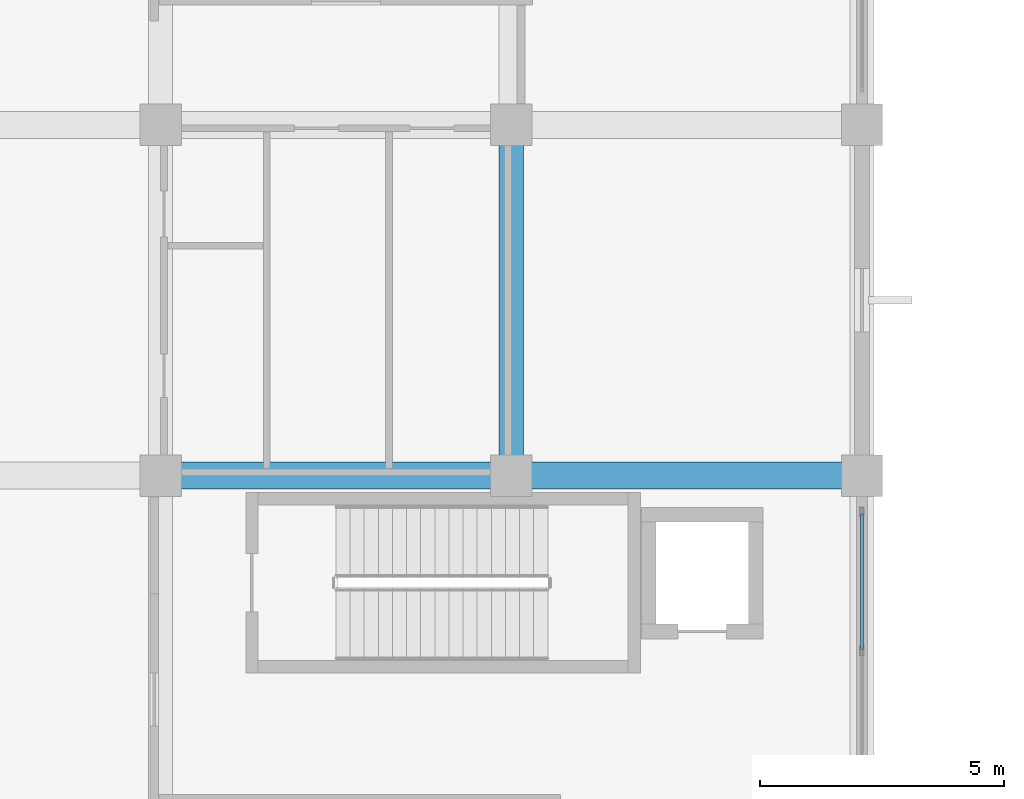
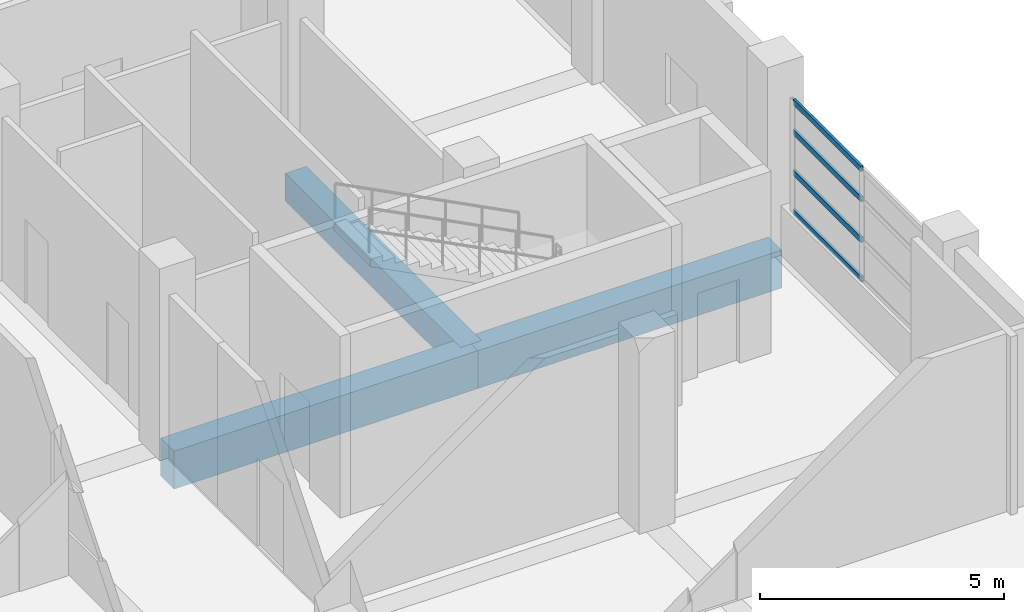
# One storey, part 25 of 181: 4 members, 3 beams, 1 element without a shape of its own.
"""IFC4 building model written with IfcOpenShell, lengths in metres."""

from ifc_helpers import new_model, si_unit, direction, frame, origin, origin_2d, place, context, subcontext, project, spatial, rectangle, hollow_rectangle, extrude, material, layer, layer_set, material_profile, profile_set, type_object, element, aggregate, save


model = new_model("IFC4")

# Units and contexts
model_context = context("Model", 3, precision=1e-05, world=origin(), true_north=direction((0.0, 1.0)))
body_context = subcontext(model_context, "Body", "Model", "MODEL_VIEW")
ifc_project = project(units=[si_unit("LENGTHUNIT", "METRE"), si_unit("AREAUNIT", "SQUARE_METRE"), si_unit("VOLUMEUNIT", "CUBIC_METRE"), si_unit("PLANEANGLEUNIT", "RADIAN"), si_unit("MASSUNIT", "GRAM", prefix="KILO")], contexts=[model_context])

# Site, building, storey
site_placement = place(None, origin())
site = spatial("IfcSite", under=ifc_project, at=site_placement, CompositionType="ELEMENT")
building_placement = place(site_placement, origin())
building = spatial("IfcBuilding", under=site, at=building_placement, Name="Seraya Terrace Polytechnic", CompositionType="ELEMENT")
storey_placement = place(building_placement, frame((0.0, 0.0, 4.800048828125)))
storey = spatial("IfcBuildingStorey", under=building, at=storey_placement, Name="L01", CompositionType="ELEMENT", Elevation=4.800048828125)

# Beams
ifc_material_1 = material(Name="Concrete C40/50", Category="concrete")
ifc_material_profile_1 = material_profile(ifc_material_1, rectangle(XDim=0.550048828125, YDim=0.949951171875, at=origin_2d()), Name="RC 550x950")
ifc_profile_set_1 = profile_set([ifc_material_profile_1], Name="Concrete C40/50")
beam_type_1 = type_object("IfcBeamType", Name="BM-03", PredefinedType="BEAM", material=ifc_profile_set_1)
for number, where, z_axis, x_axis, name in (
    (1, (28.800048828125, 43.199951171875, -0.47509765625), (1.0, 0.0, 0.0), (0.0, 1.0, 0.0), "Beam BM-03 L01 X (28.8..36.0, 43.2)"),
    (2, (36.0, 43.199951171875, -0.47509765625), (1.0, 0.0, 0.0), (0.0, 1.0, 0.0), "Beam BM-03 L01 X (36.0..43.2, 43.2)"),
):
    element("IfcBeam", number, at=place(storey_placement, frame(where, z_axis=z_axis, x_axis=x_axis)), inside=storey, type_object=beam_type_1, Name=name, PredefinedType="BEAM", context=body_context, shape_type="SweptSolid", body=[
        extrude(rectangle(XDim=0.550048828125, YDim=0.949951171875, at=origin_2d()), origin(), (0.0, 0.0, 1.0), 7.199951171875),
    ])
ifc_material_profile_2 = material_profile(ifc_material_1, rectangle(XDim=0.5, YDim=0.699951171875, at=origin_2d()), Name="RC 500x700")
ifc_profile_set_2 = profile_set([ifc_material_profile_2], Name="Concrete C40/50")
beam_type_2 = type_object("IfcBeamType", Name="BM-07", PredefinedType="BEAM", material=ifc_profile_set_2)
beam_placement = place(storey_placement, frame((36.0, 43.199951171875, -0.35009765625), z_axis=(0.0, 1.0, 0.0), x_axis=(-1.0, 0.0, 0.0)))
element("IfcBeam", 3, at=beam_placement, inside=storey, type_object=beam_type_2, Name="Beam BM-07 L01 Y (36.0, 43.2..50.4)", PredefinedType="BEAM", context=body_context, shape_type="SweptSolid", body=[
    extrude(rectangle(XDim=0.5, YDim=0.699951171875, at=origin_2d()), origin(), (0.0, 0.0, 1.0), 7.199951171875),
])

# Curtain wall, members
ifc_material_2 = material(Name="Anodised aluminium EN AW-6063 T6", Category="aluminium")
ifc_layer = layer(ifc_material_2, 0.179931640625, Name="CW-01")
ifc_layer_set = layer_set([ifc_layer], Name="Anodised aluminium EN AW-6063 T6")
curtain_wall_type = type_object("IfcCurtainWallType", Name="CW-01", PredefinedType="NOTDEFINED", material=ifc_layer_set)
curtain_wall_placement = place(storey_placement, origin())
curtain_wall = element("IfcCurtainWall", 4, at=curtain_wall_placement, inside=storey, type_object=curtain_wall_type, Name="Unitised curtain wall CW-01 (CW-L01-037)", PredefinedType="NOTDEFINED")
ifc_material_profile_3 = material_profile(ifc_material_2, hollow_rectangle(XDim=0.06005859375, YDim=0.139892578125, WallThickness=0.00341796875, at=origin_2d()), Name="RHS 140x60x3.5")
ifc_profile_set_3 = profile_set([ifc_material_profile_3], Name="Anodised aluminium EN AW-6063 T6")
member_type = type_object("IfcMemberType", Name="CWT-01", PredefinedType="USERDEFINED", material=ifc_profile_set_3)
member_1_placement = place(storey_placement, frame((43.199951171875, 42.4150390625, 1.27001953125), z_axis=(0.0, -1.0, 0.0), x_axis=(1.0, 0.0, 0.0)))
member_1 = element("IfcMember", 5, at=member_1_placement, type_object=member_type, Name="CW-01 transom 1.1", ObjectType="TRANSOM", PredefinedType="USERDEFINED", context=body_context, shape_type="SweptSolid", body=[
    extrude(hollow_rectangle(XDim=0.06005859375, YDim=0.139892578125, WallThickness=0.00341796875, at=origin_2d()), origin(), (0.0, 0.0, 1.0), 2.782470703125),
])
member_2_placement = place(storey_placement, frame((43.199951171875, 42.4150390625, 2.255126953125), z_axis=(0.0, -1.0, 0.0), x_axis=(1.0, 0.0, 0.0)))
member_2 = element("IfcMember", 6, at=member_2_placement, type_object=member_type, Name="CW-01 transom 1.2", ObjectType="TRANSOM", PredefinedType="USERDEFINED", context=body_context, shape_type="SweptSolid", body=[
    extrude(hollow_rectangle(XDim=0.06005859375, YDim=0.139892578125, WallThickness=0.00341796875, at=origin_2d()), origin(), (0.0, 0.0, 1.0), 2.782470703125),
])
member_3_placement = place(storey_placement, frame((43.199951171875, 42.4150390625, 3.270263671875), z_axis=(0.0, -1.0, 0.0), x_axis=(1.0, 0.0, 0.0)))
member_3 = element("IfcMember", 7, at=member_3_placement, type_object=member_type, Name="CW-01 transom 1.3", ObjectType="TRANSOM", PredefinedType="USERDEFINED", context=body_context, shape_type="SweptSolid", body=[
    extrude(hollow_rectangle(XDim=0.06005859375, YDim=0.139892578125, WallThickness=0.00341796875, at=origin_2d()), origin(), (0.0, 0.0, 1.0), 2.782470703125),
])
member_4_placement = place(storey_placement, frame((43.199951171875, 42.4150390625, 4.030029296875), z_axis=(0.0, -1.0, 0.0), x_axis=(1.0, 0.0, 0.0)))
member_4 = element("IfcMember", 8, at=member_4_placement, type_object=member_type, Name="CW-01 transom 1.4", ObjectType="TRANSOM", PredefinedType="USERDEFINED", context=body_context, shape_type="SweptSolid", body=[
    extrude(hollow_rectangle(XDim=0.06005859375, YDim=0.139892578125, WallThickness=0.00341796875, at=origin_2d()), origin(), (0.0, 0.0, 1.0), 2.782470703125),
])
aggregate(curtain_wall, [member_1, member_2, member_3, member_4])

save(model, "model.ifc")
